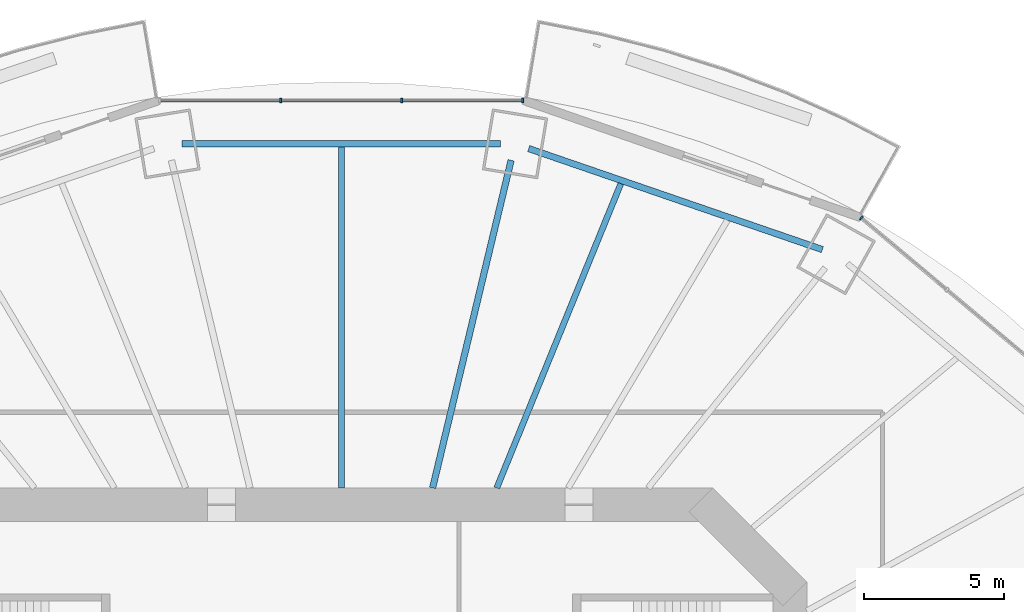
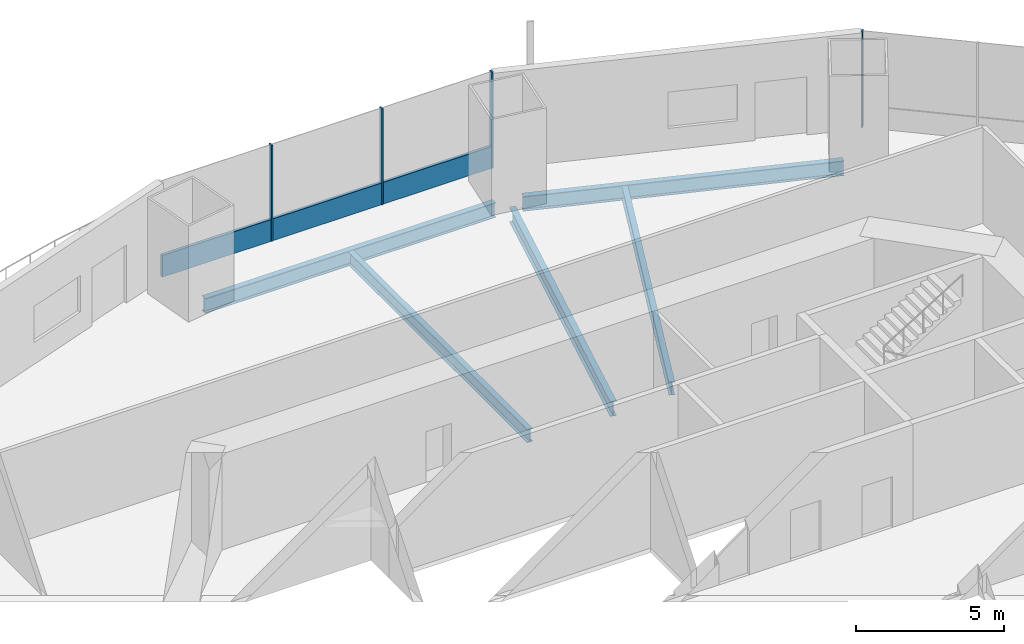
# One storey, part 9 of 20: 5 beams, 5 members, 2 elements without a shape of their own.
"""IFC4 building model written with IfcOpenShell, lengths in metres."""

from ifc_helpers import new_model, si_unit, direction, frame, origin, origin_2d, place, context, subcontext, project, spatial, rectangle, i_section, extrude, material, material_profile, profile_set, type_object, element, aggregate, save


model = new_model("IFC4")

# Units and contexts
model_context = context("Model", 3, precision=1e-05, world=origin(), true_north=direction((0.0, 1.0)))
body_context = subcontext(model_context, "Body", "Model", "MODEL_VIEW")
ifc_project = project(units=[si_unit("LENGTHUNIT", "METRE"), si_unit("AREAUNIT", "SQUARE_METRE"), si_unit("VOLUMEUNIT", "CUBIC_METRE"), si_unit("PLANEANGLEUNIT", "RADIAN"), si_unit("MASSUNIT", "GRAM", prefix="KILO")], contexts=[model_context])

# Site, building, storey
site_placement = place(None, origin())
site = spatial("IfcSite", under=ifc_project, at=site_placement, CompositionType="ELEMENT")
building_placement = place(site_placement, origin())
building = spatial("IfcBuilding", under=site, at=building_placement, Name="Marenthal Gate Tower", CompositionType="ELEMENT")
storey_placement = place(building_placement, frame((0.0, 0.0, 132.60009765625)))
storey = spatial("IfcBuildingStorey", under=building, at=storey_placement, Name="L28", CompositionType="ELEMENT", Elevation=132.60009765625)

# Curtain wall, member
ifc_material_1 = material(Name="Aluminium and glass", Category="aluminium")
curtain_wall_type = type_object("IfcCurtainWallType", Name="Curtain wall typical low", PredefinedType="NOTDEFINED", material=ifc_material_1)
curtain_wall_1_placement = place(storey_placement, origin())
curtain_wall_1 = element("IfcCurtainWall", 1, at=curtain_wall_1_placement, inside=storey, type_object=curtain_wall_type, Name="Curtain wall L28 bay 2", PredefinedType="NOTDEFINED")
ifc_material_2 = material(Name="Aluminium", Category="aluminium")
ifc_material_profile_1 = material_profile(ifc_material_2, rectangle(XDim=0.159912109375, YDim=0.06005859375, at=origin_2d()), Name="60x160 aluminium mullion")
ifc_profile_set_1 = profile_set([ifc_material_profile_1], Name="Aluminium")
member_type_1 = type_object("IfcMemberType", Name="Mullion 60x160 typical low", PredefinedType="MULLION", material=ifc_profile_set_1)
member_1_placement = place(storey_placement, frame((18.546875, 23.22607421875, 0.0), z_axis=(0.0, 0.0, 1.0), x_axis=(-0.642510826857, -0.766276606305, 0.0)))
member_1 = element("IfcMember", 2, at=member_1_placement, type_object=member_type_1, Name="Mullion L28 bay 2.4", PredefinedType="MULLION", context=body_context, shape_type="SweptSolid", body=[
    extrude(rectangle(XDim=0.159912109375, YDim=0.06005859375, at=origin_2d()), origin(), (0.0, 0.0, 1.0), 3.969970703125),
])
aggregate(curtain_wall_1, [member_1])

# Curtain wall, members
curtain_wall_2_placement = place(storey_placement, origin())
curtain_wall_2 = element("IfcCurtainWall", 3, at=curtain_wall_2_placement, inside=storey, type_object=curtain_wall_type, Name="Curtain wall L28 bay 4", PredefinedType="NOTDEFINED")
member_2_placement = place(storey_placement, frame((6.474609375, 27.419921875, 0.0), z_axis=(0.0, 0.0, 1.0), x_axis=(0.0, -1.0, 0.0)))
member_2 = element("IfcMember", 4, at=member_2_placement, type_object=member_type_1, Name="Mullion L28 bay 4.1", PredefinedType="MULLION", context=body_context, shape_type="SweptSolid", body=[
    extrude(rectangle(XDim=0.159912109375, YDim=0.06005859375, at=origin_2d()), origin(), (0.0, 0.0, 1.0), 3.969970703125),
])
member_3_placement = place(storey_placement, frame((2.158203125, 27.419921875, 0.0), z_axis=(0.0, 0.0, 1.0), x_axis=(0.0, -1.0, 0.0)))
member_3 = element("IfcMember", 5, at=member_3_placement, type_object=member_type_1, Name="Mullion L28 bay 4.2", PredefinedType="MULLION", context=body_context, shape_type="SweptSolid", body=[
    extrude(rectangle(XDim=0.159912109375, YDim=0.06005859375, at=origin_2d()), origin(), (0.0, 0.0, 1.0), 3.969970703125),
])
member_4_placement = place(storey_placement, frame((-2.158203125, 27.419921875, 0.0), z_axis=(0.0, 0.0, 1.0), x_axis=(0.0, -1.0, 0.0)))
member_4 = element("IfcMember", 6, at=member_4_placement, type_object=member_type_1, Name="Mullion L28 bay 4.3", PredefinedType="MULLION", context=body_context, shape_type="SweptSolid", body=[
    extrude(rectangle(XDim=0.159912109375, YDim=0.06005859375, at=origin_2d()), origin(), (0.0, 0.0, 1.0), 3.969970703125),
])
ifc_material_3 = material(Name="Aluminium", Category="aluminium")
ifc_material_profile_2 = material_profile(ifc_material_3, rectangle(XDim=0.1201171875, YDim=0.89990234375, at=origin_2d()), Name="120x900 aluminium transom")
ifc_profile_set_2 = profile_set([ifc_material_profile_2], Name="Aluminium")
member_type_2 = type_object("IfcMemberType", Name="Transom 120x900 typical low", PredefinedType="USERDEFINED", material=ifc_profile_set_2)
member_5_placement = place(storey_placement, frame((6.444580078125, 27.419921875, 0.449951171875), z_axis=(-1.0, 0.0, 0.0), x_axis=(0.0, -1.0, 0.0)))
member_5 = element("IfcMember", 7, at=member_5_placement, type_object=member_type_2, Name="Transom L28 bay 4", ObjectType="TRANSOM", PredefinedType="USERDEFINED", context=body_context, shape_type="SweptSolid", body=[
    extrude(rectangle(XDim=0.1201171875, YDim=0.89990234375, at=origin_2d()), origin(), (0.0, 0.0, 1.0), 12.88916015625),
])
aggregate(curtain_wall_2, [member_2, member_3, member_4, member_5])

# Beams
ifc_material_4 = material(Name="Steel S355", Category="steel")
ifc_material_profile_3 = material_profile(ifc_material_4, i_section(OverallWidth=0.2119140625, OverallDepth=0.5439453125, WebThickness=0.01318359375, FlangeThickness=0.021240234375, FilletRadius=0.0126953125, at=origin_2d()), Name="W530X123")
ifc_profile_set_3 = profile_set([ifc_material_profile_3], Name="Steel S355")
beam_type_1 = type_object("IfcBeamType", Name="W530X123 beam", PredefinedType="BEAM", material=ifc_profile_set_3)
beam_1_placement = place(storey_placement, frame((9.9697265625, 24.451171875, -0.4521484375), z_axis=(-0.377553645664, -0.92598771301, 0.0), x_axis=(0.92598771301, -0.377553645664, 0.0)))
element("IfcBeam", 8, at=beam_1_placement, inside=storey, type_object=beam_type_1, Name="BM-L28-21", PredefinedType="BEAM", context=body_context, shape_type="SweptSolid", body=[
    extrude(i_section(OverallWidth=0.2119140625, OverallDepth=0.5439453125, WebThickness=0.01318359375, FlangeThickness=0.021240234375, FilletRadius=0.0126953125, at=origin_2d()), origin(), (0.0, 0.0, 1.0), 11.71826171875),
])
beam_2_placement = place(storey_placement, frame((0.0, 25.755615234375, -0.4521484375), z_axis=(0.0, -1.0, 0.0), x_axis=(1.0, 0.0, 0.0)))
element("IfcBeam", 9, at=beam_2_placement, inside=storey, type_object=beam_type_1, Name="BM-L28-22", PredefinedType="BEAM", context=body_context, shape_type="SweptSolid", body=[
    extrude(i_section(OverallWidth=0.2119140625, OverallDepth=0.5439453125, WebThickness=0.01318359375, FlangeThickness=0.021240234375, FilletRadius=0.0126953125, at=origin_2d()), origin(), (0.0, 0.0, 1.0), 12.155517578125),
])
ifc_material_5 = material(Name="Steel S355", Category="steel")
ifc_material_profile_4 = material_profile(ifc_material_5, i_section(OverallWidth=0.22900390625, OverallDepth=0.612060546875, WebThickness=0.011962890625, FlangeThickness=0.01953125, FilletRadius=0.0126953125, at=origin_2d()), Name="W610X125")
ifc_profile_set_4 = profile_set([ifc_material_profile_4], Name="Steel S355")
beam_type_2 = type_object("IfcBeamType", Name="W610X125 beam", PredefinedType="BEAM", material=ifc_profile_set_4)
beam_3_placement = place(storey_placement, frame((6.05615234375, 25.283935546875, -0.486083984375), z_axis=(-0.232937154271, -0.972491790279, 0.0), x_axis=(0.972491790279, -0.232937154271, 0.0)))
element("IfcBeam", 10, at=beam_3_placement, inside=storey, type_object=beam_type_2, Name="BM-L28-04", PredefinedType="BEAM", context=body_context, shape_type="SweptSolid", body=[
    extrude(i_section(OverallWidth=0.22900390625, OverallDepth=0.612060546875, WebThickness=0.011962890625, FlangeThickness=0.01953125, FilletRadius=0.0126953125, at=origin_2d()), origin(), (0.0, 0.0, 1.0), 12.014404296875),
])
beam_4_placement = place(storey_placement, frame((17.158447265625, 22.099365234375, -0.486083984375), z_axis=(-0.945616285836, 0.325284244871, 0.0), x_axis=(-0.325284244871, -0.945616285836, 0.0)))
element("IfcBeam", 11, at=beam_4_placement, inside=storey, type_object=beam_type_2, Name="BM-L28-43", PredefinedType="BEAM", context=body_context, shape_type="SweptSolid", body=[
    extrude(i_section(OverallWidth=0.22900390625, OverallDepth=0.612060546875, WebThickness=0.011962890625, FlangeThickness=0.01953125, FilletRadius=0.0126953125, at=origin_2d()), origin(), (0.0, 0.0, 1.0), 11.078125),
])
beam_5_placement = place(storey_placement, frame((5.682861328125, 25.8701171875, -0.486083984375), z_axis=(-1.0, 0.0, 0.0), x_axis=(0.0, -1.0, 0.0)))
element("IfcBeam", 12, at=beam_5_placement, inside=storey, type_object=beam_type_2, Name="BM-L28-44", PredefinedType="BEAM", context=body_context, shape_type="SweptSolid", body=[
    extrude(i_section(OverallWidth=0.22900390625, OverallDepth=0.612060546875, WebThickness=0.011962890625, FlangeThickness=0.01953125, FilletRadius=0.0126953125, at=origin_2d()), origin(), (0.0, 0.0, 1.0), 11.36572265625),
])

save(model, "model.ifc")
